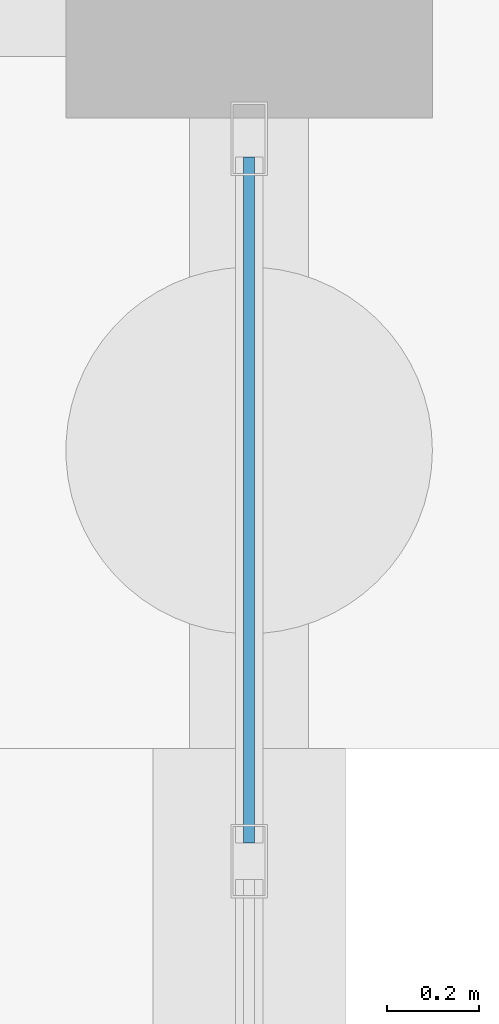
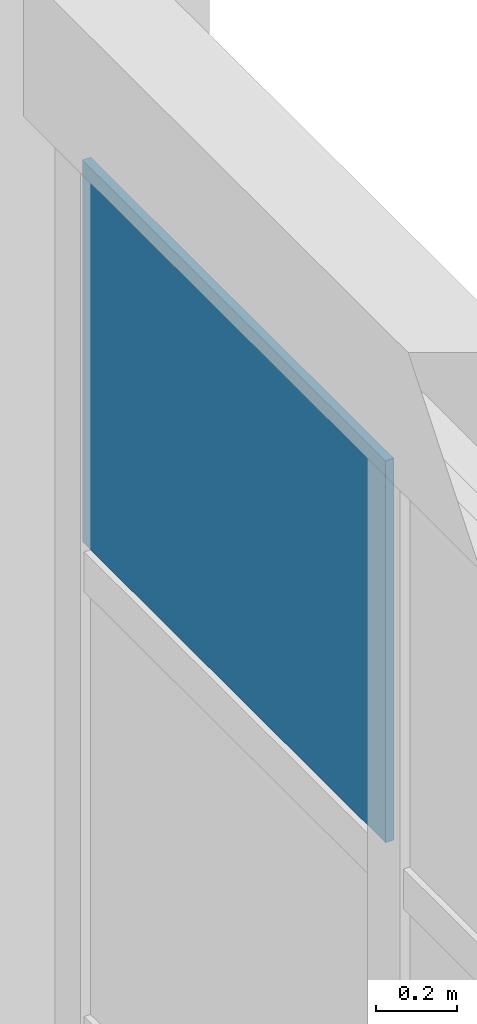
# One storey, part 118 of 166: 1 plate, 1 element without a shape of its own.
"""IFC4 building model written with IfcOpenShell, lengths in metres."""

from ifc_helpers import new_model, si_unit, direction, frame, origin, origin_2d, place, context, subcontext, project, spatial, rectangle, extrude, material, layer, layer_set, type_object, element, aggregate, save


model = new_model("IFC4")

# Units and contexts
model_context = context("Model", 3, precision=1e-05, world=origin(), true_north=direction((0.0, 1.0)))
body_context = subcontext(model_context, "Body", "Model", "MODEL_VIEW")
ifc_project = project(units=[si_unit("LENGTHUNIT", "METRE"), si_unit("AREAUNIT", "SQUARE_METRE"), si_unit("VOLUMEUNIT", "CUBIC_METRE"), si_unit("PLANEANGLEUNIT", "RADIAN"), si_unit("MASSUNIT", "GRAM", prefix="KILO")], contexts=[model_context])

# Site, building, storey
site_placement = place(None, origin())
site = spatial("IfcSite", under=ifc_project, at=site_placement, CompositionType="ELEMENT")
building_placement = place(site_placement, origin())
building = spatial("IfcBuilding", under=site, at=building_placement, Name="Kharva Crest Polytechnic", CompositionType="ELEMENT")
storey_placement = place(building_placement, origin())
storey = spatial("IfcBuildingStorey", under=building, at=storey_placement, Name="L00", CompositionType="ELEMENT", Elevation=0.0)

# Curtain wall, plate
ifc_material = material(Name="Tempered insulated glass", Category="glass")
curtain_wall_type = type_object("IfcCurtainWallType", Name="CW-SYS-COURT", PredefinedType="USERDEFINED", material=ifc_material)
curtain_wall_placement = place(storey_placement, origin())
curtain_wall = element("IfcCurtainWall", 1, at=curtain_wall_placement, inside=storey, type_object=curtain_wall_type, Name="L00 Glazed Curtain Wall CW-020", ObjectType="CURTAIN WALL", PredefinedType="USERDEFINED")
ifc_layer = layer(ifc_material, 0.02392578125, Name="Tempered insulated glass")
ifc_layer_set = layer_set([ifc_layer], Name="Tempered insulated glass")
plate_type = type_object("IfcPlateType", Name="CWP-GLZ-24", PredefinedType="CURTAIN_PANEL", material=ifc_layer_set)
plate_placement = place(storey_placement, frame((184.0, 120.841796875, 2.510009765625), z_axis=(0.0, 0.0, 1.0), x_axis=(0.0, 1.0, 0.0)))
plate = element("IfcPlate", 2, at=plate_placement, type_object=plate_type, Name="CW-020 panel 4.3", PredefinedType="CURTAIN_PANEL", context=body_context, shape_type="SweptSolid", body=[
    extrude(rectangle(XDim=1.496337890625, YDim=0.02392578125, at=origin_2d()), origin(), (0.0, 0.0, 1.0), 1.14990234375),
])
aggregate(curtain_wall, [plate])

save(model, "model.ifc")
